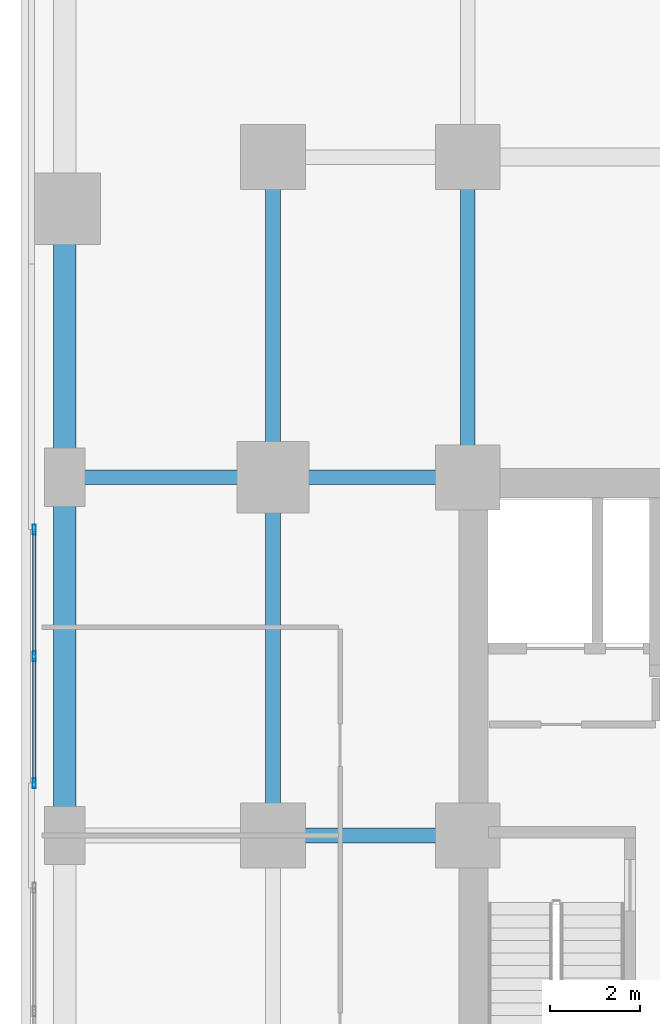
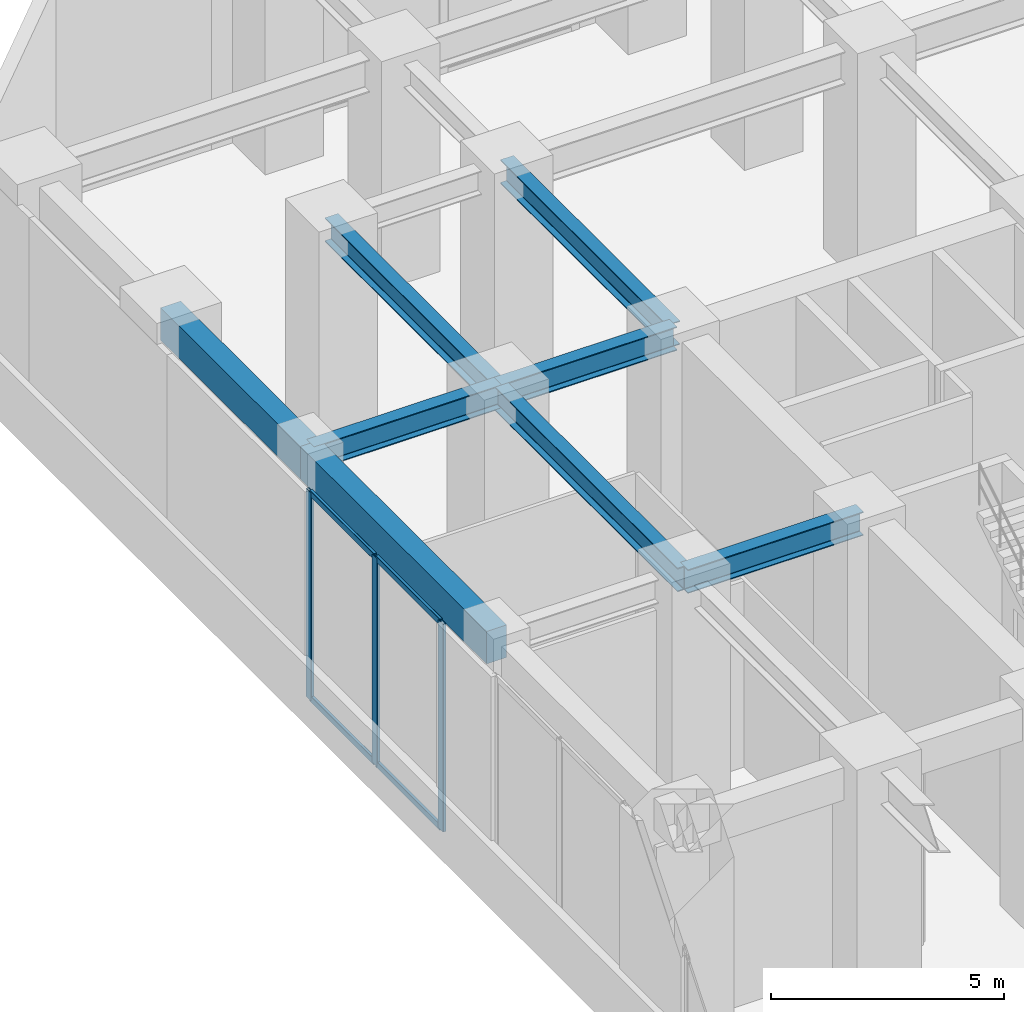
# One storey, part 15 of 34: 8 beams, 7 members, 1 element without a shape of its own.
"""IFC4 building model written with IfcOpenShell, lengths in metres."""

from ifc_helpers import new_model, si_unit, direction, frame, origin, origin_2d, place, context, subcontext, project, spatial, rectangle, hollow_rectangle, i_section, extrude, source, transform, mapped, material, material_profile, profile_set, type_object, element, aggregate, save


model = new_model("IFC4")

# Units and contexts
model_context = context("Model", 3, precision=1e-05, world=origin(), true_north=direction((0.0, 1.0)))
body_context = subcontext(model_context, "Body", "Model", "MODEL_VIEW")
ifc_project = project(units=[si_unit("LENGTHUNIT", "METRE"), si_unit("AREAUNIT", "SQUARE_METRE"), si_unit("VOLUMEUNIT", "CUBIC_METRE"), si_unit("PLANEANGLEUNIT", "RADIAN"), si_unit("MASSUNIT", "GRAM", prefix="KILO")], contexts=[model_context])

# Site, building, storey
site_placement = place(None, origin())
site = spatial("IfcSite", under=ifc_project, at=site_placement, CompositionType="ELEMENT")
building_placement = place(site_placement, origin())
building = spatial("IfcBuilding", under=site, at=building_placement, Name="Torre Montelarca", CompositionType="ELEMENT")
storey_placement = place(building_placement, frame((0.0, 0.0, 6.0)))
storey = spatial("IfcBuildingStorey", under=building, at=storey_placement, Name="L02", CompositionType="ELEMENT", Elevation=6.0)

# Beams
ifc_material_1 = material(Name="Concrete C55/67", Category="concrete")
ifc_material_profile_1 = material_profile(ifc_material_1, rectangle(XDim=0.5, YDim=0.85009765625, at=origin_2d()), Name="RCB500X850", Category="concrete")
ifc_profile_set_1 = profile_set([ifc_material_profile_1], Name="Concrete C55/67")
beam_type_1 = type_object("IfcBeamType", Name="BM-SP-RC850-EXT", PredefinedType="SPANDREL", material=ifc_profile_set_1)
shared_shape_1 = source(origin(), body_context, "Body", "SweptSolid", [
    extrude(rectangle(XDim=0.5, YDim=0.85009765625, at=origin_2d()), origin(), (0.0, 0.0, 1.0), 6.0),
])
beam_1_placement = place(storey_placement, frame((0.0, 40.0, 5.31494140625), z_axis=(0.0, 1.0, 0.0), x_axis=(-1.0, 0.0, 0.0)))
element("IfcBeam", 1, at=beam_1_placement, inside=storey, type_object=beam_type_1, Name="L02 Grid Girder Y 40.0-46.0 at X=0.0", PredefinedType="SPANDREL", context=body_context, shape_type="MappedRepresentation", body=[
    mapped(shared_shape_1, transform((0.0, 0.0, 0.0), scale=1.0)),
])
ifc_material_2 = material(Name="Steel ASTM A992 Grade 50", Category="steel")
ifc_material_profile_2 = material_profile(ifc_material_2, i_section(OverallWidth=0.326904296875, OverallDepth=0.6220703125, WebThickness=0.015380859375, FlangeThickness=0.0244140625, FilletRadius=0.014892578125, at=origin_2d()), Name="W610X195", Category="steel")
ifc_profile_set_2 = profile_set([ifc_material_profile_2], Name="Steel ASTM A992 Grade 50")
beam_type_2 = type_object("IfcBeamType", Name="BM-G-W610H", PredefinedType="BEAM", material=ifc_profile_set_2)
shared_shape_2 = source(origin(), body_context, "Body", "SweptSolid", [
    extrude(i_section(OverallWidth=0.326904296875, OverallDepth=0.6220703125, WebThickness=0.015380859375, FlangeThickness=0.0244140625, FilletRadius=0.014892578125, at=origin_2d()), origin(), (0.0, 0.0, 1.0), 4.35009765625),
])
for number, where, z_axis, x_axis, name in (
    (2, (4.64990234375, 32.0, 5.428955078125), (1.0, 0.0, 0.0), (0.0, 1.0, 0.0), "L02 Grid Girder X 4.7-9.0 at Y=32.0"),
    (3, (4.64990234375, 40.0, 5.428955078125), (1.0, 0.0, 0.0), (0.0, 1.0, 0.0), "L02 Grid Girder X 4.7-9.0 at Y=40.0"),
):
    element("IfcBeam", number, at=place(storey_placement, frame(where, z_axis=z_axis, x_axis=x_axis)), inside=storey, type_object=beam_type_2, Name=name, PredefinedType="BEAM", context=body_context, shape_type="MappedRepresentation", body=[
        mapped(shared_shape_2, transform((0.0, 0.0, 0.0), scale=1.0)),
    ])
shared_shape_3 = source(origin(), body_context, "Body", "SweptSolid", [
    extrude(i_section(OverallWidth=0.326904296875, OverallDepth=0.6220703125, WebThickness=0.015380859375, FlangeThickness=0.0244140625, FilletRadius=0.014892578125, at=origin_2d()), origin(), (0.0, 0.0, 1.0), 4.64990234375),
])
beam_2_placement = place(storey_placement, frame((0.0, 40.0, 5.428955078125), z_axis=(1.0, 0.0, 0.0), x_axis=(0.0, 1.0, 0.0)))
element("IfcBeam", 4, at=beam_2_placement, inside=storey, type_object=beam_type_2, Name="L02 Grid Girder X 0.0-4.7 at Y=40.0", PredefinedType="BEAM", context=body_context, shape_type="MappedRepresentation", body=[
    mapped(shared_shape_3, transform((0.0, 0.0, 0.0), scale=1.0)),
])
shared_shape_4 = source(origin(), body_context, "Body", "SweptSolid", [
    extrude(rectangle(XDim=0.5, YDim=0.85009765625, at=origin_2d()), origin(), (0.0, 0.0, 1.0), 8.0),
])
beam_3_placement = place(storey_placement, frame((0.0, 32.0, 5.31494140625), z_axis=(0.0, 1.0, 0.0), x_axis=(-1.0, 0.0, 0.0)))
element("IfcBeam", 5, at=beam_3_placement, inside=storey, type_object=beam_type_1, Name="L02 Grid Girder Y 32.0-40.0 at X=0.0", PredefinedType="SPANDREL", context=body_context, shape_type="MappedRepresentation", body=[
    mapped(shared_shape_4, transform((0.0, 0.0, 0.0), scale=1.0)),
])
shared_shape_5 = source(origin(), body_context, "Body", "SweptSolid", [
    extrude(i_section(OverallWidth=0.326904296875, OverallDepth=0.6220703125, WebThickness=0.015380859375, FlangeThickness=0.0244140625, FilletRadius=0.014892578125, at=origin_2d()), origin(), (0.0, 0.0, 1.0), 8.0),
])
beam_4_placement = place(storey_placement, frame((4.64990234375, 32.0, 5.428955078125), z_axis=(0.0, 1.0, 0.0), x_axis=(-1.0, 0.0, 0.0)))
element("IfcBeam", 6, at=beam_4_placement, inside=storey, type_object=beam_type_2, Name="L02 Grid Girder Y 32.0-40.0 at X=4.7", PredefinedType="BEAM", context=body_context, shape_type="MappedRepresentation", body=[
    mapped(shared_shape_5, transform((0.0, 0.0, 0.0), scale=1.0)),
])
shared_shape_6 = source(origin(), body_context, "Body", "SweptSolid", [
    extrude(i_section(OverallWidth=0.326904296875, OverallDepth=0.6220703125, WebThickness=0.015380859375, FlangeThickness=0.0244140625, FilletRadius=0.014892578125, at=origin_2d()), origin(), (0.0, 0.0, 1.0), 7.14990234375),
])
for number, where, z_axis, x_axis, name in (
    (7, (4.64990234375, 40.0, 5.428955078125), (0.0, 1.0, 0.0), (-1.0, 0.0, 0.0), "L02 Grid Girder Y 40.0-47.1 at X=4.7"),
    (8, (9.0, 40.0, 5.428955078125), (0.0, 1.0, 0.0), (-1.0, 0.0, 0.0), "L02 Grid Girder Y 40.0-47.1 at X=9.0"),
):
    element("IfcBeam", number, at=place(storey_placement, frame(where, z_axis=z_axis, x_axis=x_axis)), inside=storey, type_object=beam_type_2, Name=name, PredefinedType="BEAM", context=body_context, shape_type="MappedRepresentation", body=[
        mapped(shared_shape_6, transform((0.0, 0.0, 0.0), scale=1.0)),
    ])

# Curtain wall, members
ifc_material_3 = material(Name="Insulated low-E laminated glass", Category="glass")
curtain_wall_type = type_object("IfcCurtainWallType", Name="CW-SYS-POD2", PredefinedType="USERDEFINED", material=ifc_material_3)
curtain_wall_placement = place(storey_placement, origin())
curtain_wall = element("IfcCurtainWall", 9, at=curtain_wall_placement, inside=storey, type_object=curtain_wall_type, Name="L02 Curtain Wall Run CW-T3-L02-E10-B1", ObjectType="UNITISED GLAZING", PredefinedType="USERDEFINED")
ifc_material_4 = material(Name="Anodised aluminium AA 6063-T6", Category="aluminium")
ifc_material_profile_3 = material_profile(ifc_material_4, hollow_rectangle(XDim=0.074951171875, YDim=0.219970703125, WallThickness=0.0048828125, InnerFilletRadius=0.0048828125, OuterFilletRadius=0.010009765625, at=origin_2d()), Name="ALU75X220X5", Category="aluminium")
ifc_profile_set_3 = profile_set([ifc_material_profile_3], Name="Anodised aluminium AA 6063-T6")
member_type_1 = type_object("IfcMemberType", Name="CWM-ALU220", PredefinedType="MULLION", material=ifc_profile_set_3)
shared_shape_7 = source(origin(), body_context, "Body", "SweptSolid", [
    extrude(hollow_rectangle(XDim=0.074951171875, YDim=0.219970703125, WallThickness=0.0048828125, InnerFilletRadius=0.0048828125, OuterFilletRadius=0.010009765625, at=origin_2d()), origin(), (0.0, 0.0, 1.0), 5.449951171875),
])
member_1_placement = place(storey_placement, frame((-0.679931640625, 38.83251953125, 0.0), z_axis=(0.0, 0.0, 1.0), x_axis=(1.0, 0.0, 0.0)))
member_1 = element("IfcMember", 10, at=member_1_placement, type_object=member_type_1, Name="CW mullion 1", PredefinedType="MULLION", context=body_context, shape_type="MappedRepresentation", body=[
    mapped(shared_shape_7, transform((0.0, 0.0, 0.0), scale=1.0)),
])
member_2_placement = place(storey_placement, frame((-0.679931640625, 36.0, 0.0), z_axis=(0.0, 0.0, 1.0), x_axis=(1.0, 0.0, 0.0)))
member_2 = element("IfcMember", 11, at=member_2_placement, type_object=member_type_1, Name="CW mullion 2", PredefinedType="MULLION", context=body_context, shape_type="MappedRepresentation", body=[
    mapped(shared_shape_7, transform((0.0, 0.0, 0.0), scale=1.0)),
])
member_3_placement = place(storey_placement, frame((-0.679931640625, 33.16748046875, 0.0), z_axis=(0.0, 0.0, 1.0), x_axis=(1.0, 0.0, 0.0)))
member_3 = element("IfcMember", 12, at=member_3_placement, type_object=member_type_1, Name="CW mullion 3", PredefinedType="MULLION", context=body_context, shape_type="MappedRepresentation", body=[
    mapped(shared_shape_7, transform((0.0, 0.0, 0.0), scale=1.0)),
])
ifc_material_profile_4 = material_profile(ifc_material_4, hollow_rectangle(XDim=0.074951171875, YDim=0.159912109375, WallThickness=0.0048828125, InnerFilletRadius=0.0048828125, OuterFilletRadius=0.010009765625, at=origin_2d()), Name="ALU75X160X5", Category="aluminium")
ifc_profile_set_4 = profile_set([ifc_material_profile_4], Name="Anodised aluminium AA 6063-T6")
member_type_2 = type_object("IfcMemberType", Name="CWT-ALU160", PredefinedType="USERDEFINED", material=ifc_profile_set_4)
shared_shape_8 = source(origin(), body_context, "Body", "SweptSolid", [
    extrude(hollow_rectangle(XDim=0.074951171875, YDim=0.159912109375, WallThickness=0.0048828125, InnerFilletRadius=0.0048828125, OuterFilletRadius=0.010009765625, at=origin_2d()), origin(), (0.0, 0.0, 1.0), 2.75732421875),
])
member_4_placement = place(storey_placement, frame((-0.679931640625, 38.794921875, 0.03759765625), z_axis=(0.0, -1.0, 0.0), x_axis=(1.0, 0.0, 0.0)))
member_4 = element("IfcMember", 13, at=member_4_placement, type_object=member_type_2, Name="CW transom 1.1", ObjectType="TRANSOM", PredefinedType="USERDEFINED", context=body_context, shape_type="MappedRepresentation", body=[
    mapped(shared_shape_8, transform((0.0, 0.0, 0.0), scale=1.0)),
])
member_5_placement = place(storey_placement, frame((-0.679931640625, 38.794921875, 5.41259765625), z_axis=(0.0, -1.0, 0.0), x_axis=(1.0, 0.0, 0.0)))
member_5 = element("IfcMember", 14, at=member_5_placement, type_object=member_type_2, Name="CW transom 1.2", ObjectType="TRANSOM", PredefinedType="USERDEFINED", context=body_context, shape_type="MappedRepresentation", body=[
    mapped(shared_shape_8, transform((0.0, 0.0, 0.0), scale=1.0)),
])
member_6_placement = place(storey_placement, frame((-0.679931640625, 35.96240234375, 0.03759765625), z_axis=(0.0, -1.0, 0.0), x_axis=(1.0, 0.0, 0.0)))
member_6 = element("IfcMember", 15, at=member_6_placement, type_object=member_type_2, Name="CW transom 2.1", ObjectType="TRANSOM", PredefinedType="USERDEFINED", context=body_context, shape_type="MappedRepresentation", body=[
    mapped(shared_shape_8, transform((0.0, 0.0, 0.0), scale=1.0)),
])
member_7_placement = place(storey_placement, frame((-0.679931640625, 35.96240234375, 5.41259765625), z_axis=(0.0, -1.0, 0.0), x_axis=(1.0, 0.0, 0.0)))
member_7 = element("IfcMember", 16, at=member_7_placement, type_object=member_type_2, Name="CW transom 2.2", ObjectType="TRANSOM", PredefinedType="USERDEFINED", context=body_context, shape_type="MappedRepresentation", body=[
    mapped(shared_shape_8, transform((0.0, 0.0, 0.0), scale=1.0)),
])
aggregate(curtain_wall, [member_1, member_2, member_3, member_4, member_5, member_6, member_7])

save(model, "model.ifc")
